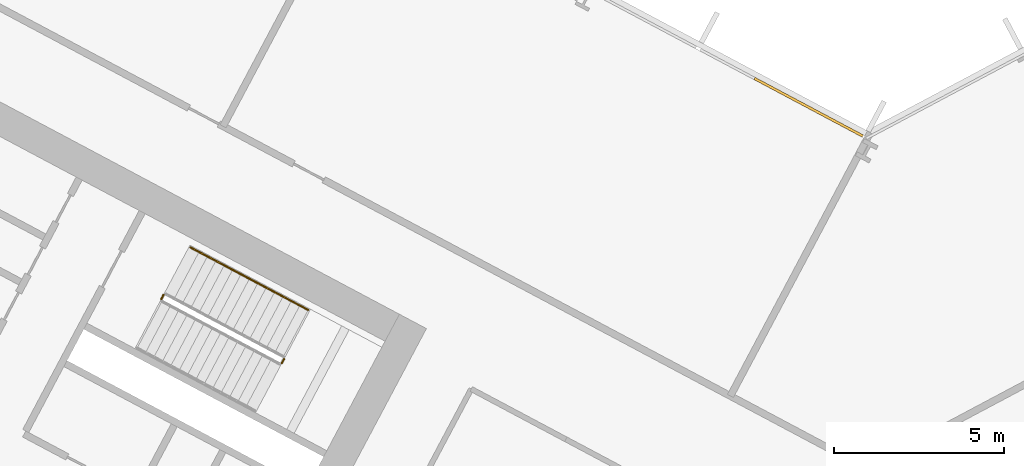
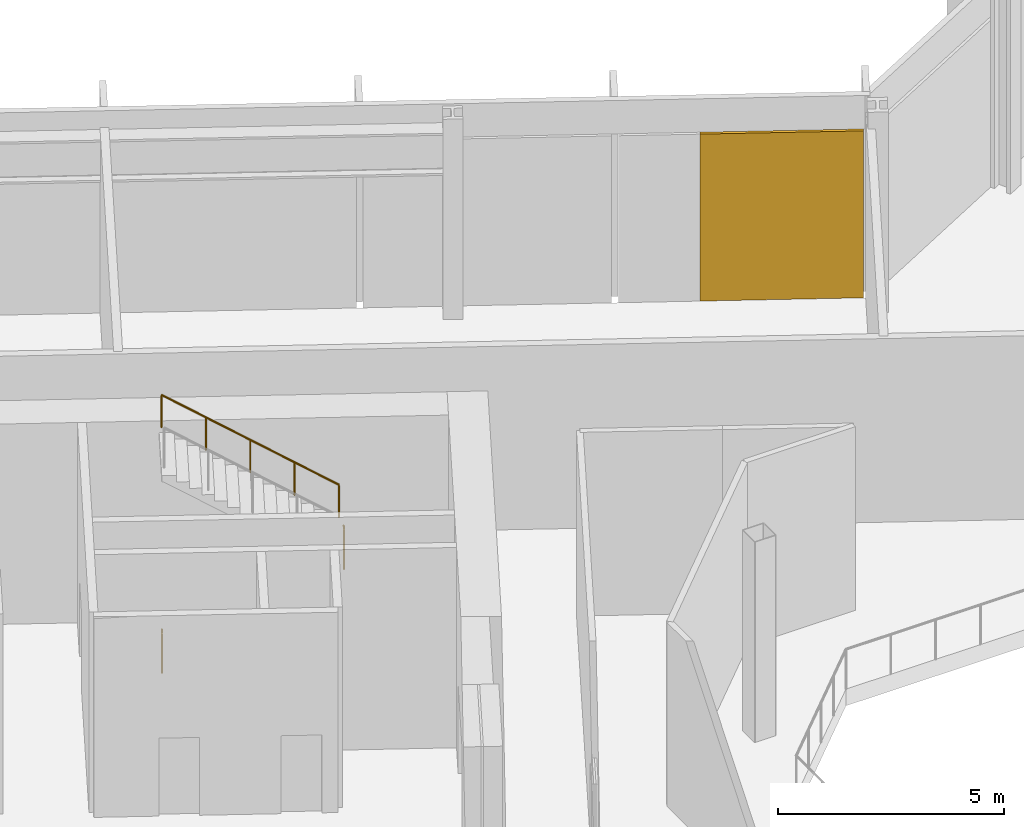
# One storey, part 24 of 30: 3 railings, 1 covering, 1 element without a shape of its own.
"""IFC4 building model written with IfcOpenShell, lengths in metres."""

from ifc_helpers import new_model, si_unit, direction, frame, origin, origin_2d, place, context, subcontext, project, spatial, polyline, rectangle, outline, extrude, material, layer, layer_set, type_object, element, aggregate, save


model = new_model("IFC4")

# Units and contexts
model_context = context("Model", 3, precision=1e-05, world=origin(), true_north=direction((0.0, 1.0)))
body_context = subcontext(model_context, "Body", "Model", "MODEL_VIEW")
ifc_project = project(units=[si_unit("LENGTHUNIT", "METRE"), si_unit("AREAUNIT", "SQUARE_METRE"), si_unit("VOLUMEUNIT", "CUBIC_METRE"), si_unit("PLANEANGLEUNIT", "RADIAN"), si_unit("MASSUNIT", "GRAM", prefix="KILO")], contexts=[model_context])

# Site, building, storey
site_placement = place(None, origin())
site = spatial("IfcSite", under=ifc_project, at=site_placement, CompositionType="ELEMENT")
building_placement = place(site_placement, origin())
building = spatial("IfcBuilding", under=site, at=building_placement, Name="Cormorant Relay Tower", CompositionType="ELEMENT")
storey_placement = place(building_placement, frame((0.0, 0.0, 55.39990234375)))
storey = spatial("IfcBuildingStorey", under=building, at=storey_placement, Name="L10", CompositionType="ELEMENT", Elevation=55.39990234375)

# Curtain wall, covering
ifc_material_1 = material(Name="Aluminium 6063-T6 anodised bronze", Category="aluminium")
ifc_layer_1 = layer(ifc_material_1, 0.235107421875)
ifc_layer_set_1 = layer_set([ifc_layer_1], Name="CW6 data hall curtain wall with mineral wool panels")
curtain_wall_type = type_object("IfcCurtainWallType", Name="CW6 data hall curtain wall with mineral wool panels", PredefinedType="NOTDEFINED", material=ifc_layer_set_1)
curtain_wall_placement = place(storey_placement, origin())
curtain_wall = element("IfcCurtainWall", 1, at=curtain_wall_placement, inside=storey, type_object=curtain_wall_type, Name="CW6 curtain wall 7", PredefinedType="NOTDEFINED")
ifc_material_2 = material(Name="Mineral wool cored anodised bronze aluminium cassette panel", Category="aluminium")
ifc_layer_2 = layer(ifc_material_2, 0.074951171875)
ifc_layer_set_2 = layer_set([ifc_layer_2], Name="CW6 mineral wool cassette panel 75")
covering_type = type_object("IfcCoveringType", Name="CW6 mineral wool cassette panel 75", PredefinedType="CLADDING", material=ifc_layer_set_2)
covering_placement = place(storey_placement, frame((-1.710205078125, 24.73583984375, 0.0), z_axis=(0.0, 0.0, 1.0), x_axis=(-0.882947592859, 0.469471562786, 0.0)))
covering = element("IfcCovering", 2, at=covering_placement, type_object=covering_type, Name="CW6 panel S00", PredefinedType="CLADDING", context=body_context, shape_type="SweptSolid", body=[
    extrude(rectangle(XDim=3.614013671875, YDim=0.074951171875, at=origin_2d()), origin(), (0.0, 0.0, 1.0), 4.5),
])
aggregate(curtain_wall, [covering])

# Railings
ifc_material_3 = material(Name="Steel ASTM A572 Grade 50 (Fy 345 MPa)", Category="steel")
railing_type_1 = type_object("IfcRailingType", Name="Stair guard 1100", PredefinedType="GUARDRAIL", material=ifc_material_3)
railing_1_placement = place(storey_placement, frame((-17.2216796875, 17.1982421875, 2.7001953125)))
element("IfcRailing", 3, at=railing_1_placement, inside=storey, type_object=railing_type_1, Name="L10 A1 stair guard 2", PredefinedType="GUARDRAIL", context=body_context, shape_type="SweptSolid", body=[
    extrude(outline(polyline([(0.022216796875, 0.00927734375), (0.00927734375, 0.022216796875), (-0.00927734375, 0.022216796875), (-0.022216796875, 0.00927734375), (-0.022216796875, -0.00927734375), (-0.00927734375, -0.022216796875), (0.00927734375, -0.022216796875), (0.022216796875, -0.00927734375), (0.022216796875, 0.00927734375)])), frame((0.0, 0.0, 1.076171875), z_axis=(0.469234640946, 0.883073525669, 0.0), x_axis=(-0.883073525669, 0.469234640946, 0.0)), (0.0, 0.0, 1.0), 0.14990234375),
    extrude(outline(polyline([(0.019287109375, 0.008056640625), (0.008056640625, 0.019287109375), (-0.008056640625, 0.019287109375), (-0.019287109375, 0.008056640625), (-0.019287109375, -0.008056640625), (-0.008056640625, -0.019287109375), (0.008056640625, -0.019287109375), (0.019287109375, -0.008056640625), (0.019287109375, 0.008056640625)])), origin(), (0.0, 0.0, 1.0), 1.052001953125),
    extrude(outline(polyline([(0.019287109375, 0.008056640625), (0.008056640625, 0.019287109375), (-0.008056640625, 0.019287109375), (-0.019287109375, 0.008056640625), (-0.019287109375, -0.008056640625), (-0.008056640625, -0.019287109375), (0.008056640625, -0.019287109375), (0.019287109375, -0.008056640625), (0.019287109375, 0.008056640625)])), frame((0.0703125, 0.13232421875, 0.0)), (0.0, 0.0, 1.0), 1.052001953125),
])
railing_2_placement = place(storey_placement, frame((-20.771240234375, 19.08544921875, 0.0)))
element("IfcRailing", 4, at=railing_2_placement, inside=storey, type_object=railing_type_1, Name="L10 A1 stair guard 4", PredefinedType="GUARDRAIL", context=body_context, shape_type="SweptSolid", body=[
    extrude(outline(polyline([(0.022216796875, 0.00927734375), (0.00927734375, 0.022216796875), (-0.00927734375, 0.022216796875), (-0.022216796875, 0.00927734375), (-0.022216796875, -0.00927734375), (-0.00927734375, -0.022216796875), (0.00927734375, -0.022216796875), (0.022216796875, -0.00927734375), (0.022216796875, 0.00927734375)])), frame((0.0, 0.0, 1.076171875), z_axis=(0.469828648786, 0.882757634224, 0.0), x_axis=(-0.882757634224, 0.469828648786, 0.0)), (0.0, 0.0, 1.0), 0.150146484375),
    extrude(outline(polyline([(0.019287109375, 0.008056640625), (0.008056640625, 0.019287109375), (-0.008056640625, 0.019287109375), (-0.019287109375, 0.008056640625), (-0.019287109375, -0.008056640625), (-0.008056640625, -0.019287109375), (0.008056640625, -0.019287109375), (0.019287109375, -0.008056640625), (0.019287109375, 0.008056640625)])), origin(), (0.0, 0.0, 1.0), 1.052001953125),
    extrude(outline(polyline([(0.019287109375, 0.008056640625), (0.008056640625, 0.019287109375), (-0.008056640625, 0.019287109375), (-0.019287109375, 0.008056640625), (-0.019287109375, -0.008056640625), (-0.008056640625, -0.019287109375), (0.008056640625, -0.019287109375), (0.019287109375, -0.008056640625), (0.019287109375, 0.008056640625)])), frame((0.070556640625, 0.132568359375, 0.0)), (0.0, 0.0, 1.0), 1.052001953125),
])
ifc_material_4 = material(Name="Steel ASTM A572 Grade 50 (Fy 345 MPa)", Category="steel")
railing_type_2 = type_object("IfcRailingType", Name="Stair handrail 900", PredefinedType="HANDRAIL", material=ifc_material_4)
railing_3_placement = place(storey_placement, frame((-16.4443359375, 18.766845703125, 2.880126953125)))
element("IfcRailing", 5, at=railing_3_placement, inside=storey, type_object=railing_type_2, Name="L10 A1 stair handrail 2", PredefinedType="HANDRAIL", context=body_context, shape_type="SweptSolid", body=[
    extrude(outline(polyline([(0.022216796875, 0.00927734375), (0.00927734375, 0.022216796875), (-0.00927734375, 0.022216796875), (-0.022216796875, 0.00927734375), (-0.022216796875, -0.00927734375), (-0.00927734375, -0.022216796875), (0.00927734375, -0.022216796875), (0.022216796875, -0.00927734375), (0.022216796875, 0.00927734375)])), frame((0.0, 0.0, 0.8759765625), z_axis=(-0.74271721126, 0.394907409077, 0.540758062681), x_axis=(-0.469469396681, -0.882948744594, 0.0)), (0.0, 0.0, 1.0), 4.66015625),
    extrude(outline(polyline([(0.019287109375, 0.008056640625), (0.008056640625, 0.019287109375), (-0.008056640625, 0.019287109375), (-0.019287109375, 0.008056640625), (-0.019287109375, -0.008056640625), (-0.008056640625, -0.019287109375), (0.008056640625, -0.019287109375), (0.019287109375, -0.008056640625), (0.019287109375, 0.008056640625)])), origin(), (0.0, 0.0, 1.0), 0.851806640625),
    extrude(outline(polyline([(0.019287109375, 0.008056640625), (0.008056640625, 0.019287109375), (-0.008056640625, 0.019287109375), (-0.019287109375, 0.008056640625), (-0.019287109375, -0.008056640625), (-0.008056640625, -0.019287109375), (0.008056640625, -0.019287109375), (0.019287109375, -0.008056640625), (0.019287109375, 0.008056640625)])), frame((-0.865234375, 0.4599609375, 0.6298828125)), (0.0, 0.0, 1.0), 0.851806640625),
    extrude(outline(polyline([(0.019287109375, 0.008056640625), (0.008056640625, 0.019287109375), (-0.008056640625, 0.019287109375), (-0.019287109375, 0.008056640625), (-0.019287109375, -0.008056640625), (-0.008056640625, -0.019287109375), (0.008056640625, -0.019287109375), (0.019287109375, -0.008056640625), (0.019287109375, 0.008056640625)])), frame((-1.73046875, 0.920166015625, 1.260009765625)), (0.0, 0.0, 1.0), 0.851806640625),
    extrude(outline(polyline([(0.019287109375, 0.008056640625), (0.008056640625, 0.019287109375), (-0.008056640625, 0.019287109375), (-0.019287109375, 0.008056640625), (-0.019287109375, -0.008056640625), (-0.008056640625, -0.019287109375), (0.008056640625, -0.019287109375), (0.019287109375, -0.008056640625), (0.019287109375, 0.008056640625)])), frame((-2.595947265625, 1.38037109375, 1.89013671875)), (0.0, 0.0, 1.0), 0.851806640625),
    extrude(outline(polyline([(0.019287109375, 0.008056640625), (0.008056640625, 0.019287109375), (-0.008056640625, 0.019287109375), (-0.019287109375, 0.008056640625), (-0.019287109375, -0.008056640625), (-0.008056640625, -0.019287109375), (0.008056640625, -0.019287109375), (0.019287109375, -0.008056640625), (0.019287109375, 0.008056640625)])), frame((-3.461181640625, 1.84033203125, 2.52001953125)), (0.0, 0.0, 1.0), 0.851806640625),
])

save(model, "model.ifc")
